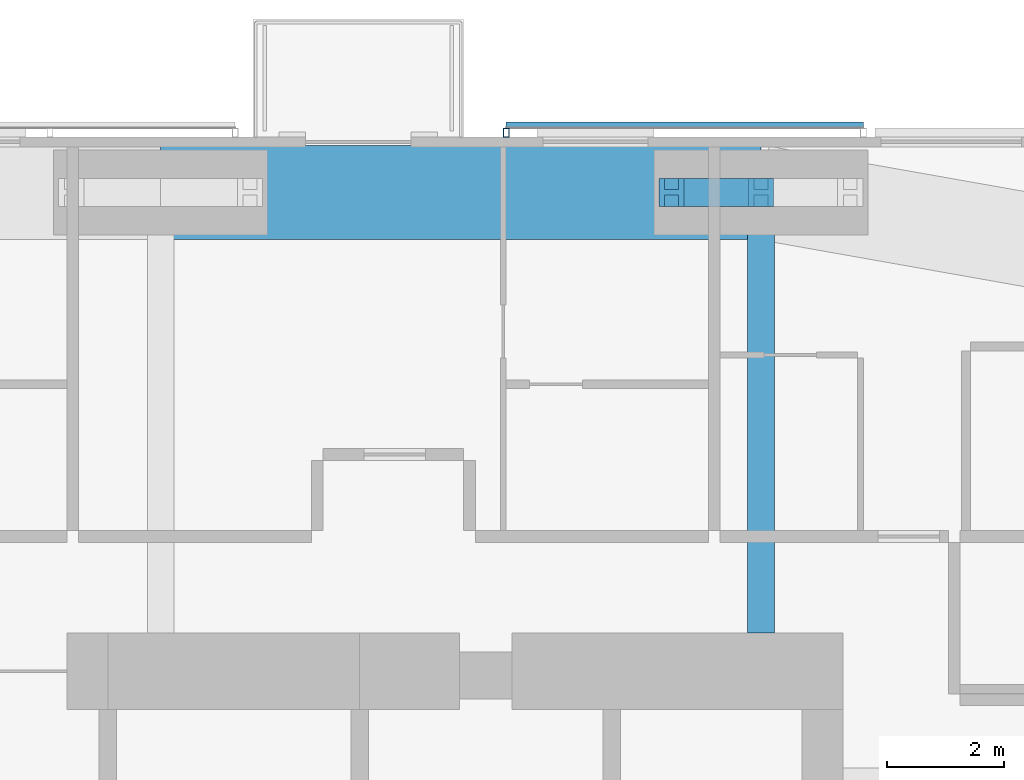
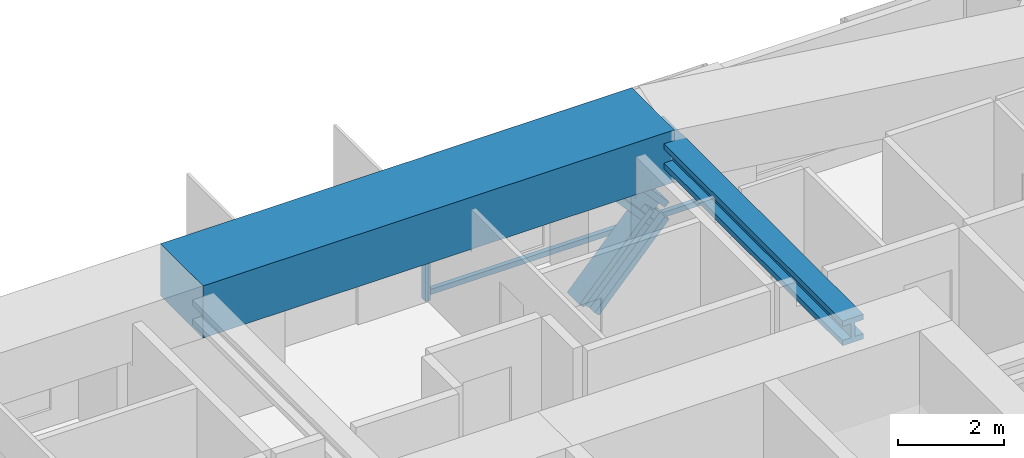
# One storey, part 13 of 23: 4 members, 2 beams, 1 element without a shape of its own.
"""IFC4 building model written with IfcOpenShell, lengths in metres."""

from ifc_helpers import new_model, si_unit, direction, frame, origin, origin_2d, place, context, subcontext, project, spatial, rectangle, hollow_rectangle, i_section, extrude, material, material_profile, profile_set, type_object, element, aggregate, save


model = new_model("IFC4")

# Units and contexts
model_context = context("Model", 3, precision=1e-05, world=origin(), true_north=direction((0.0, 1.0)))
body_context = subcontext(model_context, "Body", "Model", "MODEL_VIEW")
ifc_project = project(units=[si_unit("LENGTHUNIT", "METRE"), si_unit("AREAUNIT", "SQUARE_METRE"), si_unit("VOLUMEUNIT", "CUBIC_METRE"), si_unit("PLANEANGLEUNIT", "RADIAN"), si_unit("MASSUNIT", "GRAM", prefix="KILO")], contexts=[model_context])

# Site, building, storey
site_placement = place(None, origin())
site = spatial("IfcSite", under=ifc_project, at=site_placement, CompositionType="ELEMENT")
building_placement = place(site_placement, origin())
building = spatial("IfcBuilding", under=site, at=building_placement, Name="Jalousie Tower", CompositionType="ELEMENT")
storey_placement = place(building_placement, frame((0.0, 0.0, 187.85009765625)))
storey = spatial("IfcBuildingStorey", under=building, at=storey_placement, Name="L51", CompositionType="ELEMENT", Elevation=187.85009765625)

# Beam
ifc_material_1 = material(Name="Steel ASTM A992 Grade 50", Category="steel")
ifc_material_profile_1 = material_profile(ifc_material_1, i_section(OverallWidth=0.45458984375, OverallDepth=0.569091796875, WebThickness=0.077880859375, FlangeThickness=0.124755859375, at=origin_2d()), Name="W14X730")
ifc_profile_set_1 = profile_set([ifc_material_profile_1], Name="Steel ASTM A992 Grade 50")
beam_type_1 = type_object("IfcBeamType", Name="LEAN COLLECTOR W14X730", PredefinedType="BEAM", material=ifc_profile_set_1)
beam_1_placement = place(storey_placement, frame((42.75, 35.050048828125, 2.825439453125), z_axis=(0.0, -1.0, 0.0), x_axis=(1.0, 0.0, 0.0)))
element("IfcBeam", 1, at=beam_1_placement, inside=storey, type_object=beam_type_1, Name="Lean collector under L52", PredefinedType="BEAM", context=body_context, shape_type="SweptSolid", body=[
    extrude(i_section(OverallWidth=0.45458984375, OverallDepth=0.569091796875, WebThickness=0.077880859375, FlangeThickness=0.124755859375, at=origin_2d()), origin(), (0.0, 0.0, 1.0), 7.525146484375),
])

# Members
ifc_material_2 = material(Name="Steel ASTM A992 Grade 50", Category="steel")
ifc_material_profile_2 = material_profile(ifc_material_2, i_section(OverallWidth=0.472412109375, OverallDepth=0.5791015625, WebThickness=0.094970703125, FlangeThickness=0.1298828125, at=origin_2d()), Name="W14X808")
ifc_profile_set_2 = profile_set([ifc_material_profile_2], Name="Steel ASTM A992 Grade 50")
member_type_1 = type_object("IfcMemberType", Name="PERIMETER BRACE W14X808", PredefinedType="BRACE", material=ifc_profile_set_2)
for number, where, z_axis, x_axis, name in (
    (2, (41.22509765625, 35.050048828125, -0.60009765625), (0.673187629365, 0.0, 0.739471713908), (0.0, 1.0, 0.0), "Perimeter brace 09 L51 part 1"),
    (3, (42.75, 35.050048828125, 1.074951171875), (-0.673187629365, 0.0, 0.739471713908), (0.0, -1.0, 0.0), "Perimeter brace 09 L51 part 4"),
):
    element("IfcMember", number, at=place(storey_placement, frame(where, z_axis=z_axis, x_axis=x_axis)), inside=storey, type_object=member_type_1, Name=name, PredefinedType="BRACE", context=body_context, shape_type="SweptSolid", body=[
        extrude(i_section(OverallWidth=0.472412109375, OverallDepth=0.5791015625, WebThickness=0.094970703125, FlangeThickness=0.1298828125, at=origin_2d()), origin(), (0.0, 0.0, 1.0), 2.26513671875),
    ])

# Beam
ifc_material_3 = material(Name="Concrete f'c 40 MPa", Category="concrete")
ifc_material_profile_3 = material_profile(ifc_material_3, rectangle(XDim=1.60009765625, YDim=1.199951171875, at=origin_2d()), Name="RC 1600x1200")
ifc_profile_set_3 = profile_set([ifc_material_profile_3], Name="Concrete f'c 40 MPa")
beam_type_2 = type_object("IfcBeamType", Name="RC BEAM 1600x1200", PredefinedType="BEAM", material=ifc_profile_set_3)
beam_2_placement = place(storey_placement, frame((42.75, 35.050048828125, 2.75), z_axis=(-1.0, 0.0, 0.0), x_axis=(0.0, -1.0, 0.0)))
element("IfcBeam", 4, at=beam_2_placement, inside=storey, type_object=beam_type_2, Name="Edge band beam 09-10 under L52", PredefinedType="BEAM", context=body_context, shape_type="SweptSolid", body=[
    extrude(rectangle(XDim=1.60009765625, YDim=1.199951171875, at=origin_2d()), origin(), (0.0, 0.0, 1.0), 10.25),
])

# Curtain wall, members
ifc_material_4 = material(Name="Perforated aluminium sheet", Category="aluminium")
curtain_wall_type = type_object("IfcCurtainWallType", Name="SOLAR SCREEN SS-1", PredefinedType="USERDEFINED", material=ifc_material_4)
curtain_wall_placement = place(storey_placement, origin())
curtain_wall = element("IfcCurtainWall", 5, at=curtain_wall_placement, inside=storey, type_object=curtain_wall_type, Name="Solar screen L51", ObjectType="SOLAR SCREEN SS-1", PredefinedType="USERDEFINED")
ifc_material_5 = material(Name="Steel ASTM A500 Grade C", Category="steel")
ifc_material_profile_4 = material_profile(ifc_material_5, hollow_rectangle(XDim=0.1015625, YDim=0.15234375, WallThickness=0.00634765625, at=origin_2d()), Name="HSS6X4X1/4")
ifc_profile_set_4 = profile_set([ifc_material_profile_4], Name="Steel ASTM A500 Grade C")
member_type_2 = type_object("IfcMemberType", Name="SOLAR SCREEN SS-1 MULLION", PredefinedType="MULLION", material=ifc_profile_set_4)
member_1_placement = place(storey_placement, frame((38.39990234375, 36.0712890625, -0.1201171875), z_axis=(0.0, 0.0, 1.0), x_axis=(-1.0, 0.0, 0.0)))
member_1 = element("IfcMember", 6, at=member_1_placement, type_object=member_type_2, Name="SS1 post 2", PredefinedType="MULLION", context=body_context, shape_type="SweptSolid", body=[
    extrude(hollow_rectangle(XDim=0.1015625, YDim=0.15234375, WallThickness=0.00634765625, at=origin_2d()), origin(), (0.0, 0.0, 1.0), 3.22998046875),
])
ifc_material_6 = material(Name="Extruded aluminium screen rail", Category="aluminium")
ifc_material_profile_5 = material_profile(ifc_material_6, rectangle(XDim=0.1015625, YDim=0.1201171875, at=origin_2d()), Name="RAIL 102x120")
ifc_profile_set_5 = profile_set([ifc_material_profile_5], Name="Extruded aluminium screen rail")
member_type_3 = type_object("IfcMemberType", Name="SOLAR SCREEN SS-1 TRANSOM", PredefinedType="USERDEFINED", material=ifc_profile_set_5)
member_2_placement = place(storey_placement, frame((44.499267578125, 36.1982421875, -0.06005859375), z_axis=(-1.0, 0.0, 0.0), x_axis=(0.0, -1.0, 0.0)))
member_2 = element("IfcMember", 7, at=member_2_placement, type_object=member_type_3, Name="SS1 rail", ObjectType="TRANSOM", PredefinedType="USERDEFINED", context=body_context, shape_type="SweptSolid", body=[
    extrude(rectangle(XDim=0.1015625, YDim=0.1201171875, at=origin_2d()), origin(), (0.0, 0.0, 1.0), 6.099365234375),
])
aggregate(curtain_wall, [member_1, member_2])

save(model, "model.ifc")
